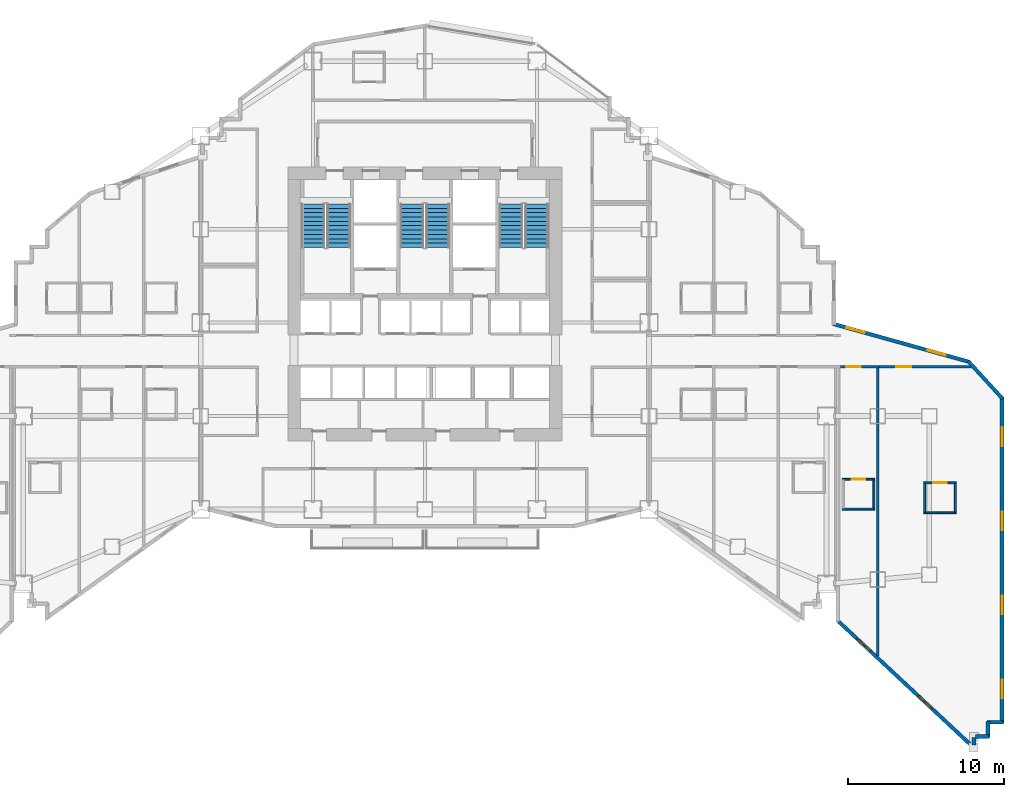
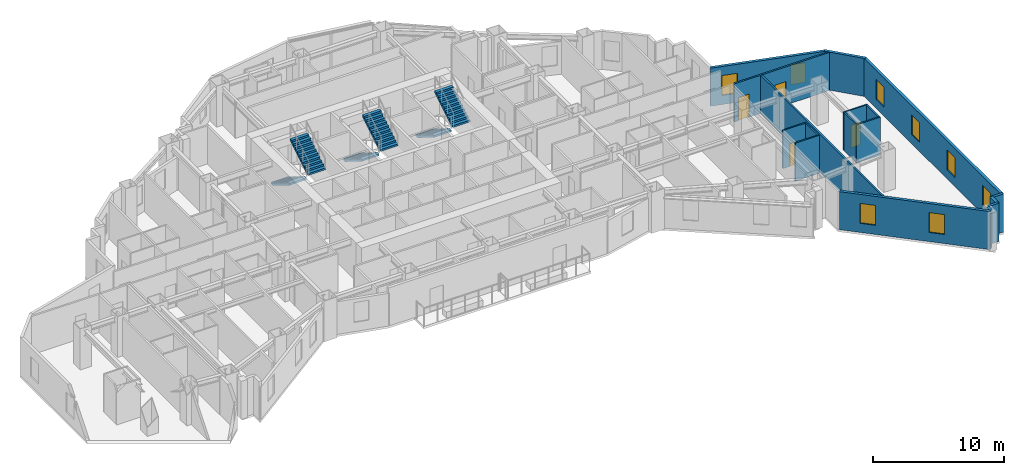
# One storey, part 13 of 16: 18 walls, 8 windows, 6 stair flights, 4 doors, 12 openings, 3 elements without a shape of their own.
"""IFC4 building model written with IfcOpenShell, lengths in metres."""

from ifc_helpers import new_model, si_unit, direction, frame, frame_2d, origin, place, context, subcontext, project, spatial, polyline, rectangle, outline, extrude, material, layer, layer_set, type_object, element, fill, aggregate, save


model = new_model("IFC4")

# Units and contexts
model_context = context("Model", 3, precision=1e-05, world=origin(), true_north=direction((0.0, 1.0)))
body_context = subcontext(model_context, "Body", "Model", "MODEL_VIEW")
ifc_project = project(units=[si_unit("LENGTHUNIT", "METRE"), si_unit("AREAUNIT", "SQUARE_METRE"), si_unit("VOLUMEUNIT", "CUBIC_METRE"), si_unit("PLANEANGLEUNIT", "RADIAN"), si_unit("MASSUNIT", "GRAM", prefix="KILO")], contexts=[model_context])

# Site, building, storey
site_placement = place(None, origin())
site = spatial("IfcSite", under=ifc_project, at=site_placement, CompositionType="ELEMENT")
building_placement = place(site_placement, origin())
building = spatial("IfcBuilding", under=site, at=building_placement, Name="Haolan Belvedere Tower", CompositionType="ELEMENT")
storey_placement = place(building_placement, frame((0.0, 0.0, 85.60009765625)))
storey = spatial("IfcBuildingStorey", under=building, at=storey_placement, Name="L21", CompositionType="ELEMENT", Elevation=85.60009765625)

# Wall, openings, windows
ifc_material_1 = material(Name="Precast concrete C40/50", Category="concrete")
ifc_layer_1 = layer(ifc_material_1, 0.239990234375, Name="Precast concrete C40/50")
ifc_layer_set_1 = layer_set([ifc_layer_1], Name="Precast concrete C40/50")
wall_type_1 = type_object("IfcWallType", Name="WL-EXT-240", PredefinedType="SOLIDWALL", material=ifc_layer_set_1)
wall_1_placement = place(storey_placement, frame((64.978515625, 14.3974609375, 0.0), z_axis=(0.0, 0.0, 1.0), x_axis=(0.731053894258, -0.682319722484, 0.0)))
wall_1 = element("IfcWall", 1, at=wall_1_placement, inside=storey, type_object=wall_type_1, Name="L21 pale-metal exterior spandrel wall 21.1", PredefinedType="SOLIDWALL", context=body_context, shape_type="SweptSolid", body=[
    extrude(rectangle(XDim=11.817626953125, YDim=0.239990234375, at=frame_2d((5.90869140625, 0.0))), origin(), (0.0, 0.0, 1.0), 3.539794921875),
])
opening_1_placement = place(wall_1_placement, frame((1.60009765625, 0.0, 0.85009765625)))
opening_1 = element("IfcOpeningElement", 2, at=opening_1_placement, cuts=wall_1, Name="Opening W-01", PredefinedType="OPENING", context=body_context, shape_type="SweptSolid", body=[
    extrude(rectangle(XDim=1.199951171875, YDim=1.85009765625, at=frame_2d((0.60009765625, 0.925048828125))), frame((0.0, 0.1298828125, 0.0), z_axis=(0.0, -1.0, 0.0), x_axis=(1.0, 0.0, 0.0)), (0.0, 0.0, 1.0), 0.260009765625),
])
opening_2_placement = place(wall_1_placement, frame((7.0, 0.0, 0.85009765625)))
opening_2 = element("IfcOpeningElement", 3, at=opening_2_placement, cuts=wall_1, Name="Opening W-01", PredefinedType="OPENING", context=body_context, shape_type="SweptSolid", body=[
    extrude(rectangle(XDim=1.199951171875, YDim=1.85009765625, at=frame_2d((0.60009765625, 0.925048828125))), frame((0.0, 0.1298828125, 0.0), z_axis=(0.0, -1.0, 0.0), x_axis=(1.0, 0.0, 0.0)), (0.0, 0.0, 1.0), 0.260009765625),
])
ifc_material_2 = material(Name="Anodised aluminium 6063-T6 and Low-E glass", Category="aluminium")
window_type = type_object("IfcWindowType", Name="WN-DECO-Z1", PartitioningType="SINGLE_PANEL", PredefinedType="WINDOW", material=ifc_material_2)
window_1_placement = place(opening_1_placement, origin())
window_1 = element("IfcWindow", 4, at=window_1_placement, inside=storey, type_object=window_type, Name="L21 Art Deco chevron window 1", OverallHeight=1.85009765625, OverallWidth=1.199951171875, PartitioningType="SINGLE_PANEL", PredefinedType="WINDOW", context=body_context, shape_type="SweptSolid", body=[
    extrude(rectangle(XDim=1.199951171875, YDim=1.85009765625, at=frame_2d((0.60009765625, 0.925048828125))), frame((0.0, 0.030029296875, 0.0), z_axis=(0.0, -1.0, 0.0), x_axis=(1.0, 0.0, 0.0)), (0.0, 0.0, 1.0), 0.06005859375),
])
fill(opening_1, window_1)
window_2_placement = place(opening_2_placement, origin())
window_2 = element("IfcWindow", 5, at=window_2_placement, inside=storey, type_object=window_type, Name="L21 Art Deco chevron window 2", OverallHeight=1.85009765625, OverallWidth=1.199951171875, PartitioningType="SINGLE_PANEL", PredefinedType="WINDOW", context=body_context, shape_type="SweptSolid", body=[
    extrude(rectangle(XDim=1.199951171875, YDim=1.85009765625, at=frame_2d((0.60009765625, 0.925048828125))), frame((0.0, 0.030029296875, 0.0), z_axis=(0.0, -1.0, 0.0), x_axis=(1.0, 0.0, 0.0)), (0.0, 0.0, 1.0), 0.06005859375),
])
fill(opening_2, window_2)

# Walls
wall_2_placement = place(storey_placement, frame((73.679931640625, 6.481201171875, 0.0), z_axis=(0.0, 0.0, 1.0), x_axis=(0.0, 1.0, 0.0)))
element("IfcWall", 6, at=wall_2_placement, inside=storey, type_object=wall_type_1, Name="L21 pale-metal exterior spandrel wall 22.1", PredefinedType="SOLIDWALL", context=body_context, shape_type="SweptSolid", body=[
    extrude(rectangle(XDim=0.453857421875, YDim=0.239990234375, at=frame_2d((0.22705078125, 0.0))), origin(), (0.0, 0.0, 1.0), 3.539794921875),
])
wall_3_placement = place(storey_placement, frame((73.764892578125, 7.02001953125, 0.0), z_axis=(0.0, 0.0, 1.0), x_axis=(1.0, 0.0, 0.0)))
element("IfcWall", 7, at=wall_3_placement, inside=storey, type_object=wall_type_1, Name="L21 pale-metal exterior spandrel wall 23.1", PredefinedType="SOLIDWALL", context=body_context, shape_type="SweptSolid", body=[
    extrude(rectangle(XDim=0.8701171875, YDim=0.239990234375, at=frame_2d((0.43505859375, 0.0))), origin(), (0.0, 0.0, 1.0), 3.539794921875),
])
for number, where, z_axis, x_axis, name in (
    (8, (74.580078125, 6.965087890625, 0.0), (0.0, 0.0, 1.0), (0.0, 1.0, 0.0), "L21 pale-metal exterior spandrel wall 24.1"),
    (9, (74.52490234375, 7.919921875, 0.0), (0.0, 0.0, 1.0), (1.0, 0.0, 0.0), "L21 pale-metal exterior spandrel wall 25.1"),
):
    element("IfcWall", number, at=place(storey_placement, frame(where, z_axis=z_axis, x_axis=x_axis)), inside=storey, type_object=wall_type_1, Name=name, PredefinedType="SOLIDWALL", context=body_context, shape_type="SweptSolid", body=[
        extrude(rectangle(XDim=1.010009765625, YDim=0.239990234375, at=frame_2d((0.5048828125, 0.0))), origin(), (0.0, 0.0, 1.0), 3.539794921875),
    ])

# Wall, openings, windows
wall_4_placement = place(storey_placement, frame((75.47998046875, 7.864990234375, 0.0), z_axis=(0.0, 0.0, 1.0), x_axis=(0.0, 1.0, 0.0)))
wall_4 = element("IfcWall", 10, at=wall_4_placement, inside=storey, type_object=wall_type_1, Name="L21 pale-metal exterior spandrel wall 26.1", PredefinedType="SOLIDWALL", context=body_context, shape_type="SweptSolid", body=[
    extrude(rectangle(XDim=20.943359375, YDim=0.239990234375, at=frame_2d((10.4716796875, 0.0))), origin(), (0.0, 0.0, 1.0), 3.539794921875),
])
opening_3_placement = place(wall_4_placement, frame((1.60009765625, 0.0, 0.85009765625)))
opening_3 = element("IfcOpeningElement", 11, at=opening_3_placement, cuts=wall_4, Name="Opening W-01", PredefinedType="OPENING", context=body_context, shape_type="SweptSolid", body=[
    extrude(rectangle(XDim=1.199951171875, YDim=1.85009765625, at=frame_2d((0.60009765625, 0.925048828125))), frame((0.0, 0.1298828125, 0.0), z_axis=(0.0, -1.0, 0.0), x_axis=(1.0, 0.0, 0.0)), (0.0, 0.0, 1.0), 0.260009765625),
])
opening_4_placement = place(wall_4_placement, frame((7.0, 0.0, 0.85009765625)))
opening_4 = element("IfcOpeningElement", 12, at=opening_4_placement, cuts=wall_4, Name="Opening W-01", PredefinedType="OPENING", context=body_context, shape_type="SweptSolid", body=[
    extrude(rectangle(XDim=1.199951171875, YDim=1.85009765625, at=frame_2d((0.60009765625, 0.925048828125))), frame((0.0, 0.1298828125, 0.0), z_axis=(0.0, -1.0, 0.0), x_axis=(1.0, 0.0, 0.0)), (0.0, 0.0, 1.0), 0.260009765625),
])
opening_5_placement = place(wall_4_placement, frame((12.39990234375, 0.0, 0.85009765625)))
opening_5 = element("IfcOpeningElement", 13, at=opening_5_placement, cuts=wall_4, Name="Opening W-01", PredefinedType="OPENING", context=body_context, shape_type="SweptSolid", body=[
    extrude(rectangle(XDim=1.199951171875, YDim=1.85009765625, at=frame_2d((0.60009765625, 0.925048828125))), frame((0.0, 0.1298828125, 0.0), z_axis=(0.0, -1.0, 0.0), x_axis=(1.0, 0.0, 0.0)), (0.0, 0.0, 1.0), 0.260009765625),
])
opening_6_placement = place(wall_4_placement, frame((17.800048828125, 0.0, 0.85009765625)))
opening_6 = element("IfcOpeningElement", 14, at=opening_6_placement, cuts=wall_4, Name="Opening W-01", PredefinedType="OPENING", context=body_context, shape_type="SweptSolid", body=[
    extrude(rectangle(XDim=1.199951171875, YDim=1.85009765625, at=frame_2d((0.60009765625, 0.925048828125))), frame((0.0, 0.1298828125, 0.0), z_axis=(0.0, -1.0, 0.0), x_axis=(1.0, 0.0, 0.0)), (0.0, 0.0, 1.0), 0.260009765625),
])
window_3_placement = place(opening_3_placement, origin())
window_3 = element("IfcWindow", 15, at=window_3_placement, inside=storey, type_object=window_type, Name="L21 Art Deco chevron window 1", OverallHeight=1.85009765625, OverallWidth=1.199951171875, PartitioningType="SINGLE_PANEL", PredefinedType="WINDOW", context=body_context, shape_type="SweptSolid", body=[
    extrude(rectangle(XDim=1.199951171875, YDim=1.85009765625, at=frame_2d((0.60009765625, 0.925048828125))), frame((0.0, 0.030029296875, 0.0), z_axis=(0.0, -1.0, 0.0), x_axis=(1.0, 0.0, 0.0)), (0.0, 0.0, 1.0), 0.06005859375),
])
fill(opening_3, window_3)
window_4_placement = place(opening_4_placement, origin())
window_4 = element("IfcWindow", 16, at=window_4_placement, inside=storey, type_object=window_type, Name="L21 Art Deco chevron window 2", OverallHeight=1.85009765625, OverallWidth=1.199951171875, PartitioningType="SINGLE_PANEL", PredefinedType="WINDOW", context=body_context, shape_type="SweptSolid", body=[
    extrude(rectangle(XDim=1.199951171875, YDim=1.85009765625, at=frame_2d((0.60009765625, 0.925048828125))), frame((0.0, 0.030029296875, 0.0), z_axis=(0.0, -1.0, 0.0), x_axis=(1.0, 0.0, 0.0)), (0.0, 0.0, 1.0), 0.06005859375),
])
fill(opening_4, window_4)
window_5_placement = place(opening_5_placement, origin())
window_5 = element("IfcWindow", 17, at=window_5_placement, inside=storey, type_object=window_type, Name="L21 Art Deco chevron window 3", OverallHeight=1.85009765625, OverallWidth=1.199951171875, PartitioningType="SINGLE_PANEL", PredefinedType="WINDOW", context=body_context, shape_type="SweptSolid", body=[
    extrude(rectangle(XDim=1.199951171875, YDim=1.85009765625, at=frame_2d((0.60009765625, 0.925048828125))), frame((0.0, 0.030029296875, 0.0), z_axis=(0.0, -1.0, 0.0), x_axis=(1.0, 0.0, 0.0)), (0.0, 0.0, 1.0), 0.06005859375),
])
fill(opening_5, window_5)
window_6_placement = place(opening_6_placement, origin())
window_6 = element("IfcWindow", 18, at=window_6_placement, inside=storey, type_object=window_type, Name="L21 Art Deco chevron window 4", OverallHeight=1.85009765625, OverallWidth=1.199951171875, PartitioningType="SINGLE_PANEL", PredefinedType="WINDOW", context=body_context, shape_type="SweptSolid", body=[
    extrude(rectangle(XDim=1.199951171875, YDim=1.85009765625, at=frame_2d((0.60009765625, 0.925048828125))), frame((0.0, 0.030029296875, 0.0), z_axis=(0.0, -1.0, 0.0), x_axis=(1.0, 0.0, 0.0)), (0.0, 0.0, 1.0), 0.06005859375),
])
fill(opening_6, window_6)

# Wall
wall_5_placement = place(storey_placement, frame((75.51708984375, 28.712890625, 0.0), z_axis=(0.0, 0.0, 1.0), x_axis=(-0.67574145796, 0.737138712858, 0.0)))
element("IfcWall", 19, at=wall_5_placement, inside=storey, type_object=wall_type_1, Name="L21 pale-metal exterior spandrel wall 27.1", PredefinedType="SOLIDWALL", context=body_context, shape_type="SweptSolid", body=[
    extrude(rectangle(XDim=3.284423828125, YDim=0.239990234375, at=frame_2d((1.64208984375, 0.0))), origin(), (0.0, 0.0, 1.0), 3.539794921875),
])

# Wall, openings, windows
wall_6_placement = place(storey_placement, frame((73.3876953125, 31.078857421875, 0.0), z_axis=(0.0, 0.0, 1.0), x_axis=(-0.963197271032, 0.268795493036, 0.0)))
wall_6 = element("IfcWall", 20, at=wall_6_placement, inside=storey, type_object=wall_type_1, Name="L21 pale-metal exterior spandrel wall 28.1", PredefinedType="SOLIDWALL", context=body_context, shape_type="SweptSolid", body=[
    extrude(rectangle(XDim=9.095458984375, YDim=0.239990234375, at=frame_2d((4.5478515625, 0.0))), origin(), (0.0, 0.0, 1.0), 3.539794921875),
])
opening_7_placement = place(wall_6_placement, frame((1.60009765625, 0.0, 0.85009765625)))
opening_7 = element("IfcOpeningElement", 21, at=opening_7_placement, cuts=wall_6, Name="Opening W-01", PredefinedType="OPENING", context=body_context, shape_type="SweptSolid", body=[
    extrude(rectangle(XDim=1.199951171875, YDim=1.85009765625, at=frame_2d((0.60009765625, 0.925048828125))), frame((0.0, 0.1298828125, 0.0), z_axis=(0.0, -1.0, 0.0), x_axis=(1.0, 0.0, 0.0)), (0.0, 0.0, 1.0), 0.260009765625),
])
opening_8_placement = place(wall_6_placement, frame((7.0, 0.0, 0.85009765625)))
opening_8 = element("IfcOpeningElement", 22, at=opening_8_placement, cuts=wall_6, Name="Opening W-01", PredefinedType="OPENING", context=body_context, shape_type="SweptSolid", body=[
    extrude(rectangle(XDim=1.199951171875, YDim=1.85009765625, at=frame_2d((0.60009765625, 0.925048828125))), frame((0.0, 0.1298828125, 0.0), z_axis=(0.0, -1.0, 0.0), x_axis=(1.0, 0.0, 0.0)), (0.0, 0.0, 1.0), 0.260009765625),
])
window_7_placement = place(opening_7_placement, origin())
window_7 = element("IfcWindow", 23, at=window_7_placement, inside=storey, type_object=window_type, Name="L21 Art Deco chevron window 1", OverallHeight=1.85009765625, OverallWidth=1.199951171875, PartitioningType="SINGLE_PANEL", PredefinedType="WINDOW", context=body_context, shape_type="SweptSolid", body=[
    extrude(rectangle(XDim=1.199951171875, YDim=1.85009765625, at=frame_2d((0.60009765625, 0.925048828125))), frame((0.0, 0.030029296875, 0.0), z_axis=(0.0, -1.0, 0.0), x_axis=(1.0, 0.0, 0.0)), (0.0, 0.0, 1.0), 0.06005859375),
])
fill(opening_7, window_7)
window_8_placement = place(opening_8_placement, origin())
window_8 = element("IfcWindow", 24, at=window_8_placement, inside=storey, type_object=window_type, Name="L21 Art Deco chevron window 2", OverallHeight=1.85009765625, OverallWidth=1.199951171875, PartitioningType="SINGLE_PANEL", PredefinedType="WINDOW", context=body_context, shape_type="SweptSolid", body=[
    extrude(rectangle(XDim=1.199951171875, YDim=1.85009765625, at=frame_2d((0.60009765625, 0.925048828125))), frame((0.0, 0.030029296875, 0.0), z_axis=(0.0, -1.0, 0.0), x_axis=(1.0, 0.0, 0.0)), (0.0, 0.0, 1.0), 0.06005859375),
])
fill(opening_8, window_8)

# Wall, opening, door
ifc_material_3 = material(Name="Double gypsum acoustic stud partition", Category="masonry")
ifc_layer_2 = layer(ifc_material_3, 0.14990234375, Name="Double gypsum acoustic stud partition")
ifc_layer_set_2 = layer_set([ifc_layer_2], Name="Double gypsum acoustic stud partition")
wall_type_2 = type_object("IfcWallType", Name="WL-PART-150", PredefinedType="PARTITIONING", material=ifc_layer_set_2)
wall_7_placement = place(storey_placement, frame((65.10205078125, 30.77001953125, 0.0), z_axis=(0.0, 0.0, 1.0), x_axis=(1.0, 0.0, 0.0)))
wall_7 = element("IfcWall", 25, at=wall_7_placement, inside=storey, type_object=wall_type_2, Name="L21 interior partition IW-L21-T5S1-N", PredefinedType="PARTITIONING", context=body_context, shape_type="SweptSolid", body=[
    extrude(rectangle(XDim=2.498046875, YDim=0.14990234375, at=frame_2d((1.2490234375, 0.0))), origin(), (0.0, 0.0, 1.0), 3.539794921875),
])
opening_9_placement = place(wall_7_placement, frame((1.311767578125, 0.0, 0.0), z_axis=(0.0, 0.0, 1.0), x_axis=(-1.0, 0.0, 0.0)))
opening_9 = element("IfcOpeningElement", 26, at=opening_9_placement, cuts=wall_7, Name="Opening ID-02", PredefinedType="OPENING", context=body_context, shape_type="SweptSolid", body=[
    extrude(rectangle(XDim=0.949951171875, YDim=2.14990234375, at=frame_2d((0.47509765625, 1.074951171875))), frame((0.0, 0.0849609375, 0.0), z_axis=(0.0, -1.0, 0.0), x_axis=(1.0, 0.0, 0.0)), (0.0, 0.0, 1.0), 0.169921875),
])
ifc_material_4 = material(Name="Acoustic oak veneer fire-rated timber", Category="wood")
door_type_1 = type_object("IfcDoorType", Name="DR-GUEST-950", OperationType="NOTDEFINED", PredefinedType="DOOR", material=ifc_material_4)
door_1_placement = place(opening_9_placement, origin())
door_1 = element("IfcDoor", 27, at=door_1_placement, inside=storey, type_object=door_type_1, Name="L21 door ID-L21-T5S1-ENT", OperationType="SINGLE_SWING_RIGHT", OverallHeight=2.14990234375, OverallWidth=0.949951171875, PredefinedType="DOOR", context=body_context, shape_type="SweptSolid", body=[
    extrude(rectangle(XDim=0.949951171875, YDim=2.14990234375, at=frame_2d((0.47509765625, 1.074951171875))), frame((0.0, 0.02490234375, 0.0), z_axis=(0.0, -1.0, 0.0), x_axis=(1.0, 0.0, 0.0)), (0.0, 0.0, 1.0), 0.050048828125),
])
fill(opening_9, door_1)

# Wall
wall_8_placement = place(storey_placement, frame((67.5, 12.187744140625, 0.0), z_axis=(0.0, 0.0, 1.0), x_axis=(0.0, 1.0, 0.0)))
element("IfcWall", 28, at=wall_8_placement, inside=storey, type_object=wall_type_2, Name="L21 interior partition IW-L21-T5S1-E", PredefinedType="PARTITIONING", context=body_context, shape_type="SweptSolid", body=[
    extrude(rectangle(XDim=18.522216796875, YDim=0.14990234375, at=frame_2d((9.26123046875, 0.0))), origin(), (0.0, 0.0, 1.0), 3.539794921875),
])

# Wall, opening, door
wall_9_placement = place(storey_placement, frame((67.60205078125, 30.77001953125, 0.0), z_axis=(0.0, 0.0, 1.0), x_axis=(1.0, 0.0, 0.0)))
wall_9 = element("IfcWall", 29, at=wall_9_placement, inside=storey, type_object=wall_type_2, Name="L21 interior partition IW-L21-T5S2-N", PredefinedType="PARTITIONING", context=body_context, shape_type="SweptSolid", body=[
    extrude(rectangle(XDim=5.88671875, YDim=0.14990234375, at=frame_2d((2.943359375, 0.0))), origin(), (0.0, 0.0, 1.0), 3.539794921875),
])
opening_10_placement = place(wall_9_placement, frame((2.0361328125, 0.0, 0.0), z_axis=(0.0, 0.0, 1.0), x_axis=(-1.0, 0.0, 0.0)))
opening_10 = element("IfcOpeningElement", 30, at=opening_10_placement, cuts=wall_9, Name="Opening ID-01", PredefinedType="OPENING", context=body_context, shape_type="SweptSolid", body=[
    extrude(rectangle(XDim=0.949951171875, YDim=2.179931640625, at=frame_2d((0.47509765625, 1.08984375))), frame((0.0, 0.0849609375, 0.0), z_axis=(0.0, -1.0, 0.0), x_axis=(1.0, 0.0, 0.0)), (0.0, 0.0, 1.0), 0.169921875),
])
ifc_material_5 = material(Name="Acoustic walnut veneer fire-rated timber", Category="wood")
door_type_2 = type_object("IfcDoorType", Name="DR-SUITE-950", OperationType="NOTDEFINED", PredefinedType="DOOR", material=ifc_material_5)
door_2_placement = place(opening_10_placement, origin())
door_2 = element("IfcDoor", 31, at=door_2_placement, inside=storey, type_object=door_type_2, Name="L21 door ID-L21-T5S2-ENT", OperationType="SINGLE_SWING_LEFT", OverallHeight=2.179931640625, OverallWidth=0.949951171875, PredefinedType="DOOR", context=body_context, shape_type="SweptSolid", body=[
    extrude(rectangle(XDim=0.949951171875, YDim=2.179931640625, at=frame_2d((0.47509765625, 1.08984375))), frame((0.0, 0.02490234375, 0.0), z_axis=(0.0, -1.0, 0.0), x_axis=(1.0, 0.0, 0.0)), (0.0, 0.0, 1.0), 0.050048828125),
])
fill(opening_10, door_2)

ifc_material_6 = material(Name="Moisture-resistant gypsum tile partition", Category="masonry")
ifc_layer_3 = layer(ifc_material_6, 0.1201171875, Name="Moisture-resistant gypsum tile partition")
ifc_layer_set_3 = layer_set([ifc_layer_3], Name="Moisture-resistant gypsum tile partition")
wall_type_3 = type_object("IfcWallType", Name="WL-WET-120", PredefinedType="PARTITIONING", material=ifc_layer_set_3)
wall_10_placement = place(storey_placement, frame((65.20703125, 23.541015625, 0.0), z_axis=(0.0, 0.0, 1.0), x_axis=(1.0, 0.0, 0.0)))
wall_10 = element("IfcWall", 32, at=wall_10_placement, inside=storey, type_object=wall_type_3, Name="L21 interior partition IW-L21-T5S1-BN", PredefinedType="PARTITIONING", context=body_context, shape_type="SweptSolid", body=[
    extrude(rectangle(XDim=2.099853515625, YDim=0.1201171875, at=frame_2d((1.0498046875, 0.0))), origin(), (0.0, 0.0, 1.0), 3.539794921875),
])
opening_11_placement = place(wall_10_placement, frame((1.47509765625, 0.0, 0.0), z_axis=(0.0, 0.0, 1.0), x_axis=(-1.0, 0.0, 0.0)))
opening_11 = element("IfcOpeningElement", 33, at=opening_11_placement, cuts=wall_10, Name="Opening ID-05", PredefinedType="OPENING", context=body_context, shape_type="SweptSolid", body=[
    extrude(rectangle(XDim=0.85009765625, YDim=2.10009765625, at=frame_2d((0.425048828125, 1.050048828125))), frame((0.0, 0.070068359375, 0.0), z_axis=(0.0, -1.0, 0.0), x_axis=(1.0, 0.0, 0.0)), (0.0, 0.0, 1.0), 0.14013671875),
])
ifc_material_7 = material(Name="Moisture-resistant lacquered timber", Category="wood")
door_type_3 = type_object("IfcDoorType", Name="DR-BATH-850", OperationType="NOTDEFINED", PredefinedType="DOOR", material=ifc_material_7)
door_3_placement = place(opening_11_placement, origin())
door_3 = element("IfcDoor", 34, at=door_3_placement, inside=storey, type_object=door_type_3, Name="L21 door ID-L21-T5S1-BATH", OperationType="SINGLE_SWING_LEFT", OverallHeight=2.10009765625, OverallWidth=0.85009765625, PredefinedType="DOOR", context=body_context, shape_type="SweptSolid", body=[
    extrude(rectangle(XDim=0.85009765625, YDim=2.10009765625, at=frame_2d((0.425048828125, 1.050048828125))), frame((0.0, 0.02490234375, 0.0), z_axis=(0.0, -1.0, 0.0), x_axis=(1.0, 0.0, 0.0)), (0.0, 0.0, 1.0), 0.050048828125),
])
fill(opening_11, door_3)

# Walls
wall_11_placement = place(storey_placement, frame((65.20703125, 21.62109375, 0.0), z_axis=(0.0, 0.0, 1.0), x_axis=(1.0, 0.0, 0.0)))
element("IfcWall", 35, at=wall_11_placement, inside=storey, type_object=wall_type_3, Name="L21 interior partition IW-L21-T5S1-BS", PredefinedType="PARTITIONING", context=body_context, shape_type="SweptSolid", body=[
    extrude(rectangle(XDim=2.099853515625, YDim=0.1201171875, at=frame_2d((1.0498046875, 0.0))), origin(), (0.0, 0.0, 1.0), 3.539794921875),
])
wall_12_placement = place(storey_placement, frame((67.2470703125, 21.666015625, 0.0), z_axis=(0.0, 0.0, 1.0), x_axis=(0.0, 1.0, 0.0)))
element("IfcWall", 36, at=wall_12_placement, inside=storey, type_object=wall_type_3, Name="L21 interior partition IW-L21-T5S1-BE", PredefinedType="PARTITIONING", context=body_context, shape_type="SweptSolid", body=[
    extrude(rectangle(XDim=1.830078125, YDim=0.1201171875, at=frame_2d((0.9150390625, 0.0))), origin(), (0.0, 0.0, 1.0), 3.539794921875),
])

# Wall, opening, door
wall_13_placement = place(storey_placement, frame((70.443115234375, 23.31005859375, 0.0), z_axis=(0.0, 0.0, 1.0), x_axis=(1.0, 0.0, 0.0)))
wall_13 = element("IfcWall", 37, at=wall_13_placement, inside=storey, type_object=wall_type_3, Name="L21 interior partition IW-L21-T5S2-BN", PredefinedType="PARTITIONING", context=body_context, shape_type="SweptSolid", body=[
    extrude(rectangle(XDim=2.099853515625, YDim=0.1201171875, at=frame_2d((1.0498046875, 0.0))), origin(), (0.0, 0.0, 1.0), 3.539794921875),
])
opening_12_placement = place(wall_13_placement, frame((1.47509765625, 0.0, 0.0), z_axis=(0.0, 0.0, 1.0), x_axis=(-1.0, 0.0, 0.0)))
opening_12 = element("IfcOpeningElement", 38, at=opening_12_placement, cuts=wall_13, Name="Opening ID-05", PredefinedType="OPENING", context=body_context, shape_type="SweptSolid", body=[
    extrude(rectangle(XDim=0.85009765625, YDim=2.10009765625, at=frame_2d((0.425048828125, 1.050048828125))), frame((0.0, 0.070068359375, 0.0), z_axis=(0.0, -1.0, 0.0), x_axis=(1.0, 0.0, 0.0)), (0.0, 0.0, 1.0), 0.14013671875),
])
door_4_placement = place(opening_12_placement, origin())
door_4 = element("IfcDoor", 39, at=door_4_placement, inside=storey, type_object=door_type_3, Name="L21 door ID-L21-T5S2-BATH", OperationType="SINGLE_SWING_RIGHT", OverallHeight=2.10009765625, OverallWidth=0.85009765625, PredefinedType="DOOR", context=body_context, shape_type="SweptSolid", body=[
    extrude(rectangle(XDim=0.85009765625, YDim=2.10009765625, at=frame_2d((0.425048828125, 1.050048828125))), frame((0.0, 0.02490234375, 0.0), z_axis=(0.0, -1.0, 0.0), x_axis=(1.0, 0.0, 0.0)), (0.0, 0.0, 1.0), 0.050048828125),
])
fill(opening_12, door_4)

# Walls
wall_14_placement = place(storey_placement, frame((70.443115234375, 21.389892578125, 0.0), z_axis=(0.0, 0.0, 1.0), x_axis=(1.0, 0.0, 0.0)))
element("IfcWall", 40, at=wall_14_placement, inside=storey, type_object=wall_type_3, Name="L21 interior partition IW-L21-T5S2-BS", PredefinedType="PARTITIONING", context=body_context, shape_type="SweptSolid", body=[
    extrude(rectangle(XDim=2.099853515625, YDim=0.1201171875, at=frame_2d((1.0498046875, 0.0))), origin(), (0.0, 0.0, 1.0), 3.539794921875),
])
for number, where, z_axis, x_axis, name in (
    (41, (70.5029296875, 21.43505859375, 0.0), (0.0, 0.0, 1.0), (0.0, 1.0, 0.0), "L21 interior partition IW-L21-T5S2-BW"),
    (42, (72.48291015625, 21.43505859375, 0.0), (0.0, 0.0, 1.0), (0.0, 1.0, 0.0), "L21 interior partition IW-L21-T5S2-BE"),
):
    element("IfcWall", number, at=place(storey_placement, frame(where, z_axis=z_axis, x_axis=x_axis)), inside=storey, type_object=wall_type_3, Name=name, PredefinedType="PARTITIONING", context=body_context, shape_type="SweptSolid", body=[
        extrude(rectangle(XDim=1.829833984375, YDim=0.1201171875, at=frame_2d((0.9150390625, 0.0))), origin(), (0.0, 0.0, 1.0), 3.539794921875),
    ])

# Stair, stair flights
ifc_material_8 = material(Name="Concrete C40/50", Category="concrete")
stair_type = type_object("IfcStairType", Name="STR-DL-22R-173", PredefinedType="HALF_TURN_STAIR", material=ifc_material_8)
stair_1_placement = place(storey_placement, origin())
stair_1 = element("IfcStair", 43, at=stair_1_placement, inside=storey, type_object=stair_type, Name="L21 Smokeproof Core Exit Stair ST1", PredefinedType="HALF_TURN_STAIR")
stair_flight_type = type_object("IfcStairFlightType", Name="SFL-DL-11R-173", PredefinedType="STRAIGHT", material=ifc_material_8)
stair_flight_1_placement = place(storey_placement, frame((31.2099609375, 41.22998046875, 0.0), z_axis=(0.0, 0.0, 1.0), x_axis=(0.0, -1.0, 0.0)))
stair_flight_1 = element("IfcStairFlight", 44, at=stair_flight_1_placement, type_object=stair_flight_type, Name="ST1 flight 1", NumberOfRisers=11, NumberOfTreads=10, PredefinedType="STRAIGHT", RiserHeight=0.172727273, TreadLength=0.28, context=body_context, shape_type="SweptSolid", body=[
    extrude(outline(polyline([(0.0, 0.0), (0.0, 0.172607421875), (0.280029296875, 0.172607421875), (0.280029296875, 0.345458984375), (0.56005859375, 0.345458984375), (0.56005859375, 0.51806640625), (0.840087890625, 0.51806640625), (0.840087890625, 0.69091796875), (1.1201171875, 0.69091796875), (1.1201171875, 0.863525390625), (1.39990234375, 0.863525390625), (1.39990234375, 1.036376953125), (1.679931640625, 1.036376953125), (1.679931640625, 1.208984375), (1.9599609375, 1.208984375), (1.9599609375, 1.3818359375), (2.239990234375, 1.3818359375), (2.239990234375, 1.554443359375), (2.52001953125, 1.554443359375), (2.52001953125, 1.727294921875), (2.800048828125, 1.727294921875), (2.800048828125, 1.89990234375), (2.800048828125, 1.551025390625), (0.285400390625, 0.0), (0.0, 0.0)])), frame((0.0, 0.760009765625, 0.0), z_axis=(0.0, -1.0, 0.0), x_axis=(1.0, 0.0, 0.0)), (0.0, 0.0, 1.0), 1.52001953125),
])
stair_flight_2_placement = place(storey_placement, frame((32.8701171875, 38.429931640625, 1.89990234375), z_axis=(0.0, 0.0, 1.0), x_axis=(0.0, 1.0, 0.0)))
stair_flight_2 = element("IfcStairFlight", 45, at=stair_flight_2_placement, type_object=stair_flight_type, Name="ST1 flight 2", NumberOfRisers=11, NumberOfTreads=10, PredefinedType="STRAIGHT", RiserHeight=0.172727273, TreadLength=0.28, context=body_context, shape_type="SweptSolid", body=[
    extrude(outline(polyline([(0.0, 0.0), (0.0, 0.172607421875), (0.280029296875, 0.172607421875), (0.280029296875, 0.345458984375), (0.56005859375, 0.345458984375), (0.56005859375, 0.51806640625), (0.840087890625, 0.51806640625), (0.840087890625, 0.69091796875), (1.1201171875, 0.69091796875), (1.1201171875, 0.863525390625), (1.39990234375, 0.863525390625), (1.39990234375, 1.036376953125), (1.679931640625, 1.036376953125), (1.679931640625, 1.208984375), (1.9599609375, 1.208984375), (1.9599609375, 1.3818359375), (2.239990234375, 1.3818359375), (2.239990234375, 1.554443359375), (2.52001953125, 1.554443359375), (2.52001953125, 1.727294921875), (2.800048828125, 1.727294921875), (2.800048828125, 1.89990234375), (2.800048828125, 1.551025390625), (0.285400390625, 0.0), (0.0, 0.0)])), frame((0.0, 0.760009765625, 0.0), z_axis=(0.0, -1.0, 0.0), x_axis=(1.0, 0.0, 0.0)), (0.0, 0.0, 1.0), 1.52001953125),
])
aggregate(stair_1, [stair_flight_1, stair_flight_2])

stair_2_placement = place(storey_placement, origin())
stair_2 = element("IfcStair", 46, at=stair_2_placement, inside=storey, type_object=stair_type, Name="L21 Smokeproof Core Exit Stair ST3", PredefinedType="HALF_TURN_STAIR")
stair_flight_3_placement = place(storey_placement, frame((37.570068359375, 41.22998046875, 0.0), z_axis=(0.0, 0.0, 1.0), x_axis=(0.0, -1.0, 0.0)))
stair_flight_3 = element("IfcStairFlight", 47, at=stair_flight_3_placement, type_object=stair_flight_type, Name="ST3 flight 1", NumberOfRisers=11, NumberOfTreads=10, PredefinedType="STRAIGHT", RiserHeight=0.172727273, TreadLength=0.28, context=body_context, shape_type="SweptSolid", body=[
    extrude(outline(polyline([(0.0, 0.0), (0.0, 0.172607421875), (0.280029296875, 0.172607421875), (0.280029296875, 0.345458984375), (0.56005859375, 0.345458984375), (0.56005859375, 0.51806640625), (0.840087890625, 0.51806640625), (0.840087890625, 0.69091796875), (1.1201171875, 0.69091796875), (1.1201171875, 0.863525390625), (1.39990234375, 0.863525390625), (1.39990234375, 1.036376953125), (1.679931640625, 1.036376953125), (1.679931640625, 1.208984375), (1.9599609375, 1.208984375), (1.9599609375, 1.3818359375), (2.239990234375, 1.3818359375), (2.239990234375, 1.554443359375), (2.52001953125, 1.554443359375), (2.52001953125, 1.727294921875), (2.800048828125, 1.727294921875), (2.800048828125, 1.89990234375), (2.800048828125, 1.551025390625), (0.285400390625, 0.0), (0.0, 0.0)])), frame((0.0, 0.760009765625, 0.0), z_axis=(0.0, -1.0, 0.0), x_axis=(1.0, 0.0, 0.0)), (0.0, 0.0, 1.0), 1.52001953125),
])
stair_flight_4_placement = place(storey_placement, frame((39.22998046875, 38.429931640625, 1.89990234375), z_axis=(0.0, 0.0, 1.0), x_axis=(0.0, 1.0, 0.0)))
stair_flight_4 = element("IfcStairFlight", 48, at=stair_flight_4_placement, type_object=stair_flight_type, Name="ST3 flight 2", NumberOfRisers=11, NumberOfTreads=10, PredefinedType="STRAIGHT", RiserHeight=0.172727273, TreadLength=0.28, context=body_context, shape_type="SweptSolid", body=[
    extrude(outline(polyline([(0.0, 0.0), (0.0, 0.172607421875), (0.280029296875, 0.172607421875), (0.280029296875, 0.345458984375), (0.56005859375, 0.345458984375), (0.56005859375, 0.51806640625), (0.840087890625, 0.51806640625), (0.840087890625, 0.69091796875), (1.1201171875, 0.69091796875), (1.1201171875, 0.863525390625), (1.39990234375, 0.863525390625), (1.39990234375, 1.036376953125), (1.679931640625, 1.036376953125), (1.679931640625, 1.208984375), (1.9599609375, 1.208984375), (1.9599609375, 1.3818359375), (2.239990234375, 1.3818359375), (2.239990234375, 1.554443359375), (2.52001953125, 1.554443359375), (2.52001953125, 1.727294921875), (2.800048828125, 1.727294921875), (2.800048828125, 1.89990234375), (2.800048828125, 1.551025390625), (0.285400390625, 0.0), (0.0, 0.0)])), frame((0.0, 0.760009765625, 0.0), z_axis=(0.0, -1.0, 0.0), x_axis=(1.0, 0.0, 0.0)), (0.0, 0.0, 1.0), 1.52001953125),
])
aggregate(stair_2, [stair_flight_3, stair_flight_4])

stair_3_placement = place(storey_placement, origin())
stair_3 = element("IfcStair", 49, at=stair_3_placement, inside=storey, type_object=stair_type, Name="L21 Smokeproof Core Exit Stair ST2", PredefinedType="HALF_TURN_STAIR")
stair_flight_5_placement = place(storey_placement, frame((43.929931640625, 41.22998046875, 0.0), z_axis=(0.0, 0.0, 1.0), x_axis=(0.0, -1.0, 0.0)))
stair_flight_5 = element("IfcStairFlight", 50, at=stair_flight_5_placement, type_object=stair_flight_type, Name="ST2 flight 1", NumberOfRisers=11, NumberOfTreads=10, PredefinedType="STRAIGHT", RiserHeight=0.172727273, TreadLength=0.28, context=body_context, shape_type="SweptSolid", body=[
    extrude(outline(polyline([(0.0, 0.0), (0.0, 0.172607421875), (0.280029296875, 0.172607421875), (0.280029296875, 0.345458984375), (0.56005859375, 0.345458984375), (0.56005859375, 0.51806640625), (0.840087890625, 0.51806640625), (0.840087890625, 0.69091796875), (1.1201171875, 0.69091796875), (1.1201171875, 0.863525390625), (1.39990234375, 0.863525390625), (1.39990234375, 1.036376953125), (1.679931640625, 1.036376953125), (1.679931640625, 1.208984375), (1.9599609375, 1.208984375), (1.9599609375, 1.3818359375), (2.239990234375, 1.3818359375), (2.239990234375, 1.554443359375), (2.52001953125, 1.554443359375), (2.52001953125, 1.727294921875), (2.800048828125, 1.727294921875), (2.800048828125, 1.89990234375), (2.800048828125, 1.551025390625), (0.285400390625, 0.0), (0.0, 0.0)])), frame((0.0, 0.760009765625, 0.0), z_axis=(0.0, -1.0, 0.0), x_axis=(1.0, 0.0, 0.0)), (0.0, 0.0, 1.0), 1.52001953125),
])
stair_flight_6_placement = place(storey_placement, frame((45.590087890625, 38.429931640625, 1.89990234375), z_axis=(0.0, 0.0, 1.0), x_axis=(0.0, 1.0, 0.0)))
stair_flight_6 = element("IfcStairFlight", 51, at=stair_flight_6_placement, type_object=stair_flight_type, Name="ST2 flight 2", NumberOfRisers=11, NumberOfTreads=10, PredefinedType="STRAIGHT", RiserHeight=0.172727273, TreadLength=0.28, context=body_context, shape_type="SweptSolid", body=[
    extrude(outline(polyline([(0.0, 0.0), (0.0, 0.172607421875), (0.280029296875, 0.172607421875), (0.280029296875, 0.345458984375), (0.56005859375, 0.345458984375), (0.56005859375, 0.51806640625), (0.840087890625, 0.51806640625), (0.840087890625, 0.69091796875), (1.1201171875, 0.69091796875), (1.1201171875, 0.863525390625), (1.39990234375, 0.863525390625), (1.39990234375, 1.036376953125), (1.679931640625, 1.036376953125), (1.679931640625, 1.208984375), (1.9599609375, 1.208984375), (1.9599609375, 1.3818359375), (2.239990234375, 1.3818359375), (2.239990234375, 1.554443359375), (2.52001953125, 1.554443359375), (2.52001953125, 1.727294921875), (2.800048828125, 1.727294921875), (2.800048828125, 1.89990234375), (2.800048828125, 1.551025390625), (0.285400390625, 0.0), (0.0, 0.0)])), frame((0.0, 0.760009765625, 0.0), z_axis=(0.0, -1.0, 0.0), x_axis=(1.0, 0.0, 0.0)), (0.0, 0.0, 1.0), 1.52001953125),
])
aggregate(stair_3, [stair_flight_5, stair_flight_6])

save(model, "model.ifc")
